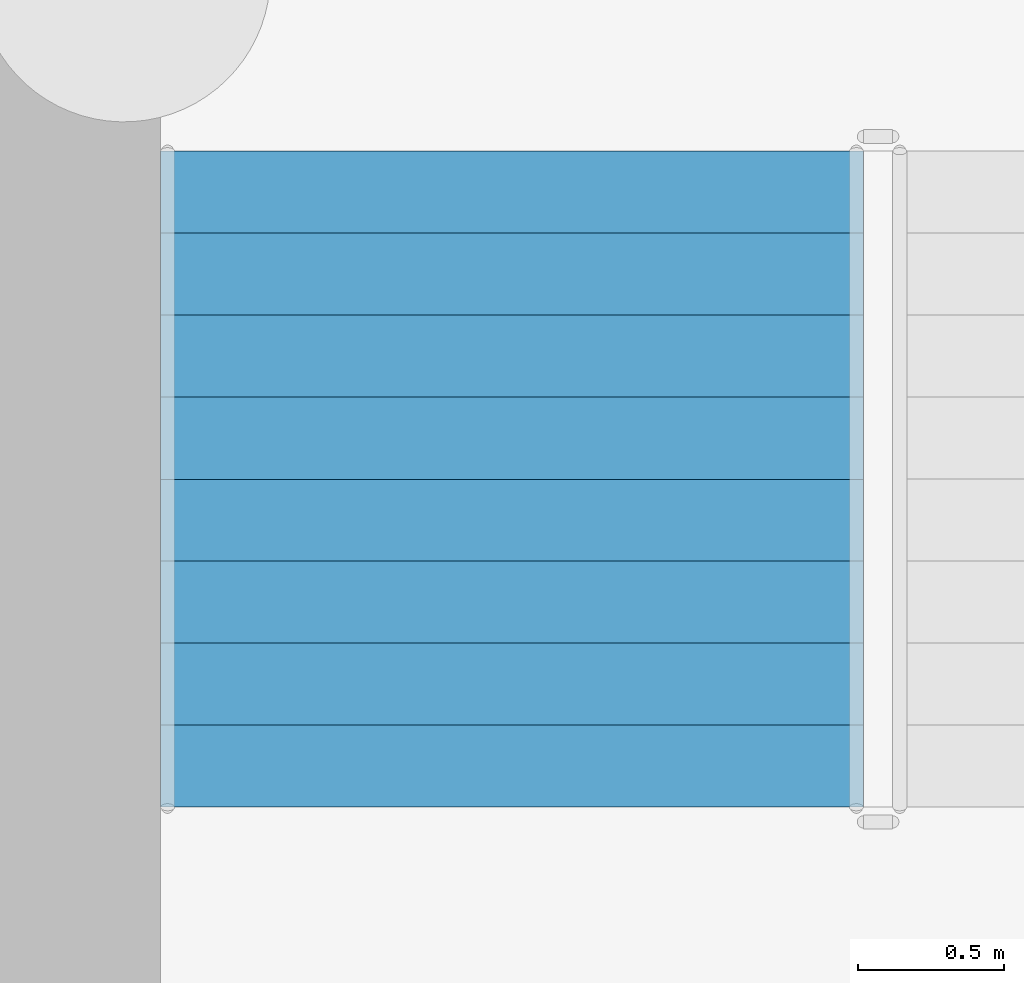
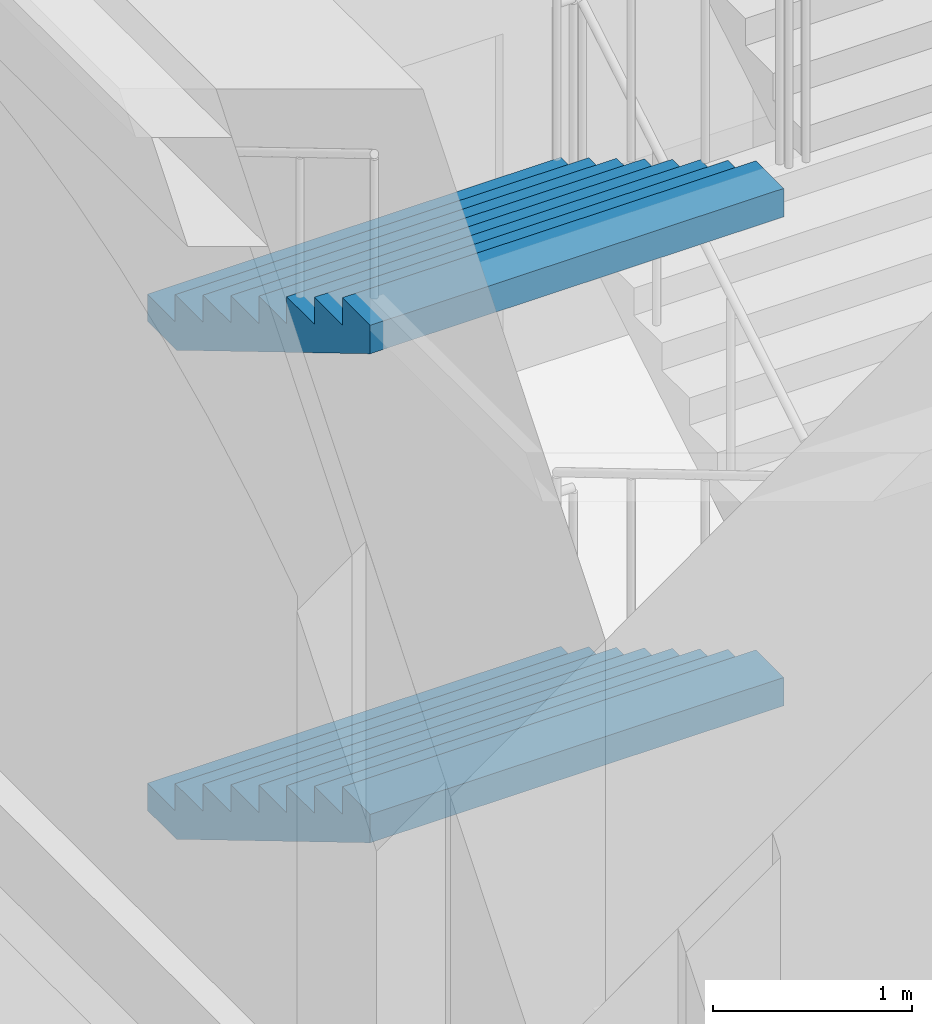
# One storey, part 13 of 39: 2 stair flights, 1 element without a shape of its own.
"""IFC4 building model written with IfcOpenShell, lengths in metres."""

from ifc_helpers import new_model, si_unit, direction, frame, origin, place, context, subcontext, project, spatial, triangles, material, type_object, element, aggregate, save


model = new_model("IFC4")

# Units and contexts
model_context = context("Model", 3, precision=1e-05, world=origin(), true_north=direction((0.0, 1.0)))
body_context = subcontext(model_context, "Body", "Model", "MODEL_VIEW")
ifc_project = project(units=[si_unit("LENGTHUNIT", "METRE"), si_unit("AREAUNIT", "SQUARE_METRE"), si_unit("VOLUMEUNIT", "CUBIC_METRE"), si_unit("PLANEANGLEUNIT", "RADIAN"), si_unit("MASSUNIT", "GRAM", prefix="KILO")], contexts=[model_context])

# Site, building, storey
site_placement = place(None, origin())
site = spatial("IfcSite", under=ifc_project, at=site_placement, CompositionType="ELEMENT")
building_placement = place(site_placement, origin())
building = spatial("IfcBuilding", under=site, at=building_placement, Name="Magnolia Steps Interchange", CompositionType="ELEMENT")
storey_placement = place(building_placement, frame((0.0, 0.0, -11.39990234375)))
storey = spatial("IfcBuildingStorey", under=building, at=storey_placement, Name="B2", CompositionType="ELEMENT", Elevation=-11.39990234375)

# Stair, stair flights
ifc_material_1 = material(Name="Concrete C40", Category="concrete")
stair_type = type_object("IfcStairType", Name="Exit stair 2400", PredefinedType="HALF_TURN_STAIR", material=ifc_material_1)
stair_placement = place(storey_placement, origin())
stair = element("IfcStair", 1, at=stair_placement, inside=storey, type_object=stair_type, Name="B2 Stair 15", PredefinedType="HALF_TURN_STAIR")
ifc_material_2 = material(Name="Concrete C40", Category="concrete")
stair_flight_type = type_object("IfcStairFlightType", Name="Exit stair flight", PredefinedType="STRAIGHT", material=ifc_material_2)
stair_flight_1_placement = place(storey_placement, frame((22.375, 58.125, 0.0), z_axis=(0.0, 0.0, 1.0), x_axis=(0.0, -1.0, 0.0)))
stair_flight_1 = element("IfcStairFlight", 2, at=stair_flight_1_placement, type_object=stair_flight_type, Name="Stair 15 flight 1", NumberOfRisers=9, NumberOfTreads=8, PredefinedType="STRAIGHT", RiserHeight=0.166666667, TreadLength=0.28, context=body_context, shape_type="Tessellation", body=[
    triangles([(0.0, -1.199951171875, 0.0), (0.29296875, -1.199951171875, 0.0), (2.239990234375, -1.199951171875, 1.158935546875), (2.239990234375, -1.199951171875, 1.333251953125), (1.9599609375, -1.199951171875, 1.333251953125), (1.9599609375, -1.199951171875, 1.166748046875), (1.679931640625, -1.199951171875, 1.166748046875), (1.679931640625, -1.199951171875, 1.0), (1.39990234375, -1.199951171875, 1.0), (1.39990234375, -1.199951171875, 0.833251953125), (1.1201171875, -1.199951171875, 0.833251953125), (1.1201171875, -1.199951171875, 0.666748046875), (0.840087890625, -1.199951171875, 0.666748046875), (0.840087890625, -1.199951171875, 0.5), (0.56005859375, -1.199951171875, 0.5), (0.56005859375, -1.199951171875, 0.333251953125), (0.280029296875, -1.199951171875, 0.333251953125), (0.280029296875, -1.199951171875, 0.166748046875), (0.0, -1.199951171875, 0.166748046875), (0.0, 1.199951171875, 0.0), (0.29296875, 1.199951171875, 0.0), (2.239990234375, 1.199951171875, 1.158935546875), (2.239990234375, 1.199951171875, 1.333251953125), (1.9599609375, 1.199951171875, 1.333251953125), (1.9599609375, 1.199951171875, 1.166748046875), (1.679931640625, 1.199951171875, 1.166748046875), (1.679931640625, 1.199951171875, 1.0), (1.39990234375, 1.199951171875, 1.0), (1.39990234375, 1.199951171875, 0.833251953125), (1.1201171875, 1.199951171875, 0.833251953125), (1.1201171875, 1.199951171875, 0.666748046875), (0.840087890625, 1.199951171875, 0.666748046875), (0.840087890625, 1.199951171875, 0.5), (0.56005859375, 1.199951171875, 0.5), (0.56005859375, 1.199951171875, 0.333251953125), (0.280029296875, 1.199951171875, 0.333251953125), (0.280029296875, 1.199951171875, 0.166748046875), (0.0, 1.199951171875, 0.166748046875), (0.0, 0.0, 0.0), (0.0, 0.0, 0.04168701171875), (0.0, 0.0, 0.0833740234375), (0.0, 0.0, 0.12506103515625), (0.0, 0.0, 0.166748046875), (0.0, -0.05, 0.0), (0.0, -0.05, 0.166748046875), (0.0, 0.05, 0.0), (0.0, 0.05, 0.166748046875), (0.046671549479166664, 0.0, 0.166748046875), (0.09334309895833333, 0.0, 0.166748046875), (0.1400146484375, 0.0, 0.166748046875), (0.18668619791666666, 0.0, 0.166748046875), (0.23335774739583334, 0.0, 0.166748046875), (0.280029296875, 0.0, 0.166748046875), (0.280029296875, -0.05, 0.166748046875), (0.280029296875, 0.05, 0.166748046875), (0.280029296875, 0.0, 0.2083740234375), (0.280029296875, 0.0, 0.25), (0.280029296875, 0.0, 0.2916259765625), (0.280029296875, 0.0, 0.333251953125), (0.280029296875, -0.05, 0.333251953125), (0.280029296875, 0.05, 0.333251953125), (0.3267008463541667, 0.0, 0.333251953125), (0.3733723958333333, 0.0, 0.333251953125), (0.4200439453125, 0.0, 0.333251953125), (0.46671549479166663, 0.0, 0.333251953125), (0.5133870442708334, 0.0, 0.333251953125), (0.56005859375, 0.0, 0.333251953125), (0.56005859375, -0.05, 0.333251953125), (0.56005859375, 0.05, 0.333251953125), (0.56005859375, 0.0, 0.37493896484375), (0.56005859375, 0.0, 0.4166259765625), (0.56005859375, 0.0, 0.45831298828125), (0.56005859375, 0.0, 0.5), (0.56005859375, -0.05, 0.5), (0.56005859375, 0.05, 0.5), (0.6067301432291666, 0.0, 0.5), (0.6534016927083334, 0.0, 0.5), (0.7000732421875, 0.0, 0.5), (0.7467447916666666, 0.0, 0.5), (0.7934163411458334, 0.0, 0.5), (0.840087890625, 0.0, 0.5), (0.840087890625, -0.05, 0.5), (0.840087890625, 0.05, 0.5), (0.840087890625, 0.0, 0.54168701171875), (0.840087890625, 0.0, 0.5833740234375), (0.840087890625, 0.0, 0.62506103515625), (0.840087890625, 0.0, 0.666748046875), (0.840087890625, -0.05, 0.666748046875), (0.840087890625, 0.05, 0.666748046875), (0.8867594401041666, 0.0, 0.666748046875), (0.9334309895833334, 0.0, 0.666748046875), (0.9801025390625, 0.0, 0.666748046875), (1.0267740885416667, 0.0, 0.666748046875), (1.0734456380208333, 0.0, 0.666748046875), (1.1201171875, 0.0, 0.666748046875), (1.1201171875, -0.05, 0.666748046875), (1.1201171875, 0.05, 0.666748046875), (1.1201171875, 0.0, 0.7083740234375), (1.1201171875, 0.0, 0.75), (1.1201171875, 0.0, 0.7916259765625), (1.1201171875, 0.0, 0.833251953125), (1.1201171875, -0.05, 0.833251953125), (1.1201171875, 0.05, 0.833251953125), (1.1900634765625, 0.0, 0.833251953125), (1.260009765625, 0.0, 0.833251953125), (1.3299560546875, 0.0, 0.833251953125), (1.39990234375, 0.0, 0.833251953125), (1.39990234375, -0.05, 0.833251953125), (1.39990234375, 0.05, 0.833251953125), (1.39990234375, 0.0, 0.87493896484375), (1.39990234375, 0.0, 0.9166259765625), (1.39990234375, 0.0, 0.95831298828125), (1.39990234375, 0.0, 1.0), (1.39990234375, -0.05, 1.0), (1.39990234375, 0.05, 1.0), (1.4465738932291667, 0.0, 1.0), (1.4932454427083333, 0.0, 1.0), (1.5399169921875, 0.0, 1.0), (1.5865885416666667, 0.0, 1.0), (1.6332600911458333, 0.0, 1.0), (1.679931640625, 0.0, 1.0), (1.679931640625, -0.05, 1.0), (1.679931640625, 0.05, 1.0), (1.679931640625, 0.0, 1.04168701171875), (1.679931640625, 0.0, 1.0833740234375), (1.679931640625, 0.0, 1.12506103515625), (1.679931640625, 0.0, 1.166748046875), (1.679931640625, -0.05, 1.166748046875), (1.679931640625, 0.05, 1.166748046875), (1.7266031901041667, 0.0, 1.166748046875), (1.7732747395833333, 0.0, 1.166748046875), (1.8199462890625, 0.0, 1.166748046875), (1.8666178385416667, 0.0, 1.166748046875), (1.9132893880208333, 0.0, 1.166748046875), (1.9599609375, 0.0, 1.166748046875), (1.9599609375, -0.05, 1.166748046875), (1.9599609375, 0.05, 1.166748046875), (1.9599609375, 0.0, 1.2083740234375), (1.9599609375, 0.0, 1.25), (1.9599609375, 0.0, 1.2916259765625), (1.9599609375, 0.0, 1.333251953125), (1.9599609375, -0.05, 1.333251953125), (1.9599609375, 0.05, 1.333251953125), (2.0066324869791665, 0.0, 1.333251953125), (2.0533040364583335, 0.0, 1.333251953125), (2.0999755859375, 0.0, 1.333251953125), (2.1466471354166665, 0.0, 1.333251953125), (2.1933186848958335, 0.0, 1.333251953125), (2.239990234375, 0.0, 1.333251953125), (2.239990234375, -0.05, 1.333251953125), (2.239990234375, 0.05, 1.333251953125), (2.239990234375, 0.0, 1.2896728515625), (2.239990234375, 0.0, 1.24609375), (2.239990234375, 0.0, 1.2025146484375), (2.239990234375, 0.0, 1.158935546875), (2.239990234375, -0.05, 1.158935546875), (2.239990234375, 0.05, 1.158935546875), (2.1827248965992645, 0.0, 1.1248492072610294), (2.1254595588235294, 0.0, 1.0907628676470589), (2.068194221047794, 0.0, 1.0566765280330883), (2.010928883272059, 0.0, 1.0225901884191178), (1.9536635454963236, 0.0, 0.9885038488051471), (1.8963982077205883, 0.0, 0.9544175091911764), (1.8391328699448528, 0.0, 0.9203311695772058), (1.7818675321691178, 0.0, 0.8862448299632353), (1.7246021943933822, 0.0, 0.8521584903492647), (1.6673368566176472, 0.0, 0.8180721507352942), (1.6100715188419117, 0.0, 0.7839858111213236), (1.5528061810661766, 0.0, 0.7498994715073529), (1.4955408432904411, 0.0, 0.7158131318933824), (1.4382755055147058, 0.0, 0.6817267922794117), (1.3810101677389706, 0.0, 0.6476404526654411), (1.3237448299632353, 0.0, 0.6135541130514706), (1.2664794921875, 0.0, 0.5794677734375), (1.2092141544117647, 0.0, 0.5453814338235294), (1.1519488166360294, 0.0, 0.5112950942095589), (1.0946834788602942, 0.0, 0.4772087545955882), (1.0374181410845589, 0.0, 0.44312241498161764), (0.9801528033088236, 0.0, 0.4090360753676471), (0.9228874655330883, 0.0, 0.3749497357536765), (0.865622127757353, 0.0, 0.34086339613970584), (0.8083567899816178, 0.0, 0.3067770565257353), (0.7510914522058822, 0.0, 0.2726907169117647), (0.693826114430147, 0.0, 0.23860437729779416), (0.6365607766544117, 0.0, 0.20451803768382348), (0.5792954388786764, 0.0, 0.17043169806985292), (0.5220301011029411, 0.0, 0.13634535845588225), (0.46476476332720584, 0.0, 0.10225901884191169), (0.40749942555147056, 0.0, 0.06817267922794112), (0.3502340877757353, 0.0, 0.03408633961397056), (0.29296875, 0.0, 0.0), (0.29296875, -0.05, 0.0), (0.29296875, 0.05, 0.0), (0.244140625, 0.0, 0.0), (0.1953125, 0.0, 0.0), (0.146484375, 0.0, 0.0), (0.09765625, 0.0, 0.0), (0.048828125, 0.0, 0.0)], [[1, 2, 3], [3, 4, 5], [3, 5, 6], [3, 6, 7], [3, 7, 8], [8, 9, 10], [3, 8, 10], [10, 11, 12], [3, 10, 12], [12, 13, 14], [3, 12, 14], [14, 15, 16], [3, 14, 16], [1, 3, 16], [16, 17, 18], [1, 16, 18], [18, 19, 1], [20, 22, 21], [22, 24, 23], [22, 25, 24], [22, 26, 25], [22, 27, 26], [27, 29, 28], [22, 29, 27], [29, 31, 30], [22, 31, 29], [31, 33, 32], [22, 33, 31], [33, 35, 34], [22, 35, 33], [20, 35, 22], [35, 37, 36], [20, 37, 35], [37, 20, 38], [1, 19, 45], [1, 45, 44], [44, 40, 39], [44, 41, 40], [44, 45, 41], [45, 42, 41], [45, 43, 42], [20, 47, 38], [20, 46, 47], [46, 39, 40], [46, 40, 41], [46, 41, 47], [47, 41, 42], [47, 42, 43], [19, 18, 54], [19, 54, 45], [45, 48, 43], [45, 49, 48], [45, 50, 49], [45, 54, 50], [54, 51, 50], [54, 52, 51], [54, 53, 52], [38, 55, 37], [38, 47, 55], [47, 43, 48], [47, 48, 49], [47, 49, 50], [47, 50, 55], [55, 50, 51], [55, 51, 52], [55, 52, 53], [18, 17, 60], [18, 60, 54], [54, 56, 53], [54, 57, 56], [54, 60, 57], [60, 58, 57], [60, 59, 58], [37, 61, 36], [37, 55, 61], [55, 53, 56], [55, 56, 57], [55, 57, 61], [61, 57, 58], [61, 58, 59], [17, 16, 68], [17, 68, 60], [60, 62, 59], [60, 63, 62], [60, 64, 63], [60, 68, 64], [68, 65, 64], [68, 66, 65], [68, 67, 66], [36, 69, 35], [36, 61, 69], [61, 59, 62], [61, 62, 63], [61, 63, 64], [61, 64, 69], [69, 64, 65], [69, 65, 66], [69, 66, 67], [16, 15, 74], [16, 74, 68], [68, 70, 67], [68, 71, 70], [68, 74, 71], [74, 72, 71], [74, 73, 72], [35, 75, 34], [35, 69, 75], [69, 67, 70], [69, 70, 71], [69, 71, 75], [75, 71, 72], [75, 72, 73], [15, 14, 82], [15, 82, 74], [74, 76, 73], [74, 77, 76], [74, 78, 77], [74, 82, 78], [82, 79, 78], [82, 80, 79], [82, 81, 80], [34, 83, 33], [34, 75, 83], [75, 73, 76], [75, 76, 77], [75, 77, 78], [75, 78, 83], [83, 78, 79], [83, 79, 80], [83, 80, 81], [14, 13, 88], [14, 88, 82], [82, 84, 81], [82, 85, 84], [82, 88, 85], [88, 86, 85], [88, 87, 86], [33, 89, 32], [33, 83, 89], [83, 81, 84], [83, 84, 85], [83, 85, 89], [89, 85, 86], [89, 86, 87], [13, 12, 96], [13, 96, 88], [88, 90, 87], [88, 91, 90], [88, 92, 91], [88, 96, 92], [96, 93, 92], [96, 94, 93], [96, 95, 94], [32, 97, 31], [32, 89, 97], [89, 87, 90], [89, 90, 91], [89, 91, 92], [89, 92, 97], [97, 92, 93], [97, 93, 94], [97, 94, 95], [12, 11, 102], [12, 102, 96], [96, 98, 95], [96, 99, 98], [96, 102, 99], [102, 100, 99], [102, 101, 100], [31, 103, 30], [31, 97, 103], [97, 95, 98], [97, 98, 99], [97, 99, 103], [103, 99, 100], [103, 100, 101], [11, 10, 108], [11, 108, 102], [102, 104, 101], [102, 105, 104], [102, 108, 105], [108, 106, 105], [108, 107, 106], [30, 109, 29], [30, 103, 109], [103, 101, 104], [103, 104, 105], [103, 105, 109], [109, 105, 106], [109, 106, 107], [10, 9, 114], [10, 114, 108], [108, 110, 107], [108, 111, 110], [108, 114, 111], [114, 112, 111], [114, 113, 112], [29, 115, 28], [29, 109, 115], [109, 107, 110], [109, 110, 111], [109, 111, 115], [115, 111, 112], [115, 112, 113], [9, 8, 122], [9, 122, 114], [114, 116, 113], [114, 117, 116], [114, 118, 117], [114, 122, 118], [122, 119, 118], [122, 120, 119], [122, 121, 120], [28, 123, 27], [28, 115, 123], [115, 113, 116], [115, 116, 117], [115, 117, 118], [115, 118, 123], [123, 118, 119], [123, 119, 120], [123, 120, 121], [8, 7, 128], [8, 128, 122], [122, 124, 121], [122, 125, 124], [122, 128, 125], [128, 126, 125], [128, 127, 126], [27, 129, 26], [27, 123, 129], [123, 121, 124], [123, 124, 125], [123, 125, 129], [129, 125, 126], [129, 126, 127], [7, 6, 136], [7, 136, 128], [128, 130, 127], [128, 131, 130], [128, 132, 131], [128, 136, 132], [136, 133, 132], [136, 134, 133], [136, 135, 134], [26, 137, 25], [26, 129, 137], [129, 127, 130], [129, 130, 131], [129, 131, 132], [129, 132, 137], [137, 132, 133], [137, 133, 134], [137, 134, 135], [6, 5, 142], [6, 142, 136], [136, 138, 135], [136, 139, 138], [136, 142, 139], [142, 140, 139], [142, 141, 140], [25, 143, 24], [25, 137, 143], [137, 135, 138], [137, 138, 139], [137, 139, 143], [143, 139, 140], [143, 140, 141], [5, 4, 150], [5, 150, 142], [142, 144, 141], [142, 145, 144], [142, 146, 145], [142, 150, 146], [150, 147, 146], [150, 148, 147], [150, 149, 148], [24, 151, 23], [24, 143, 151], [143, 141, 144], [143, 144, 145], [143, 145, 146], [143, 146, 151], [151, 146, 147], [151, 147, 148], [151, 148, 149], [4, 3, 156], [4, 156, 150], [150, 152, 149], [150, 153, 152], [150, 156, 153], [156, 154, 153], [156, 155, 154], [23, 157, 22], [23, 151, 157], [151, 149, 152], [151, 152, 153], [151, 153, 157], [157, 153, 154], [157, 154, 155], [3, 2, 192], [3, 192, 156], [156, 158, 155], [156, 159, 158], [156, 160, 159], [156, 161, 160], [156, 162, 161], [156, 163, 162], [156, 164, 163], [156, 165, 164], [156, 166, 165], [156, 167, 166], [156, 168, 167], [156, 169, 168], [156, 170, 169], [156, 171, 170], [156, 172, 171], [156, 173, 172], [156, 174, 173], [156, 192, 174], [192, 175, 174], [192, 176, 175], [192, 177, 176], [192, 178, 177], [192, 179, 178], [192, 180, 179], [192, 181, 180], [192, 182, 181], [192, 183, 182], [192, 184, 183], [192, 185, 184], [192, 186, 185], [192, 187, 186], [192, 188, 187], [192, 189, 188], [192, 190, 189], [192, 191, 190], [22, 193, 21], [22, 157, 193], [157, 155, 158], [157, 158, 159], [157, 159, 160], [157, 160, 161], [157, 161, 162], [157, 162, 163], [157, 163, 164], [157, 164, 165], [157, 165, 166], [157, 166, 167], [157, 167, 168], [157, 168, 169], [157, 169, 170], [157, 170, 171], [157, 171, 172], [157, 172, 173], [157, 173, 174], [157, 174, 193], [193, 174, 175], [193, 175, 176], [193, 176, 177], [193, 177, 178], [193, 178, 179], [193, 179, 180], [193, 180, 181], [193, 181, 182], [193, 182, 183], [193, 183, 184], [193, 184, 185], [193, 185, 186], [193, 186, 187], [193, 187, 188], [193, 188, 189], [193, 189, 190], [193, 190, 191], [2, 1, 44], [2, 44, 192], [192, 194, 191], [192, 195, 194], [192, 196, 195], [192, 44, 196], [44, 197, 196], [44, 198, 197], [44, 39, 198], [21, 46, 20], [21, 193, 46], [193, 191, 194], [193, 194, 195], [193, 195, 196], [193, 196, 46], [46, 196, 197], [46, 197, 198], [46, 198, 39]], closed=True),
])
stair_flight_2_placement = place(storey_placement, frame((22.375, 58.125, 3.0), z_axis=(0.0, 0.0, 1.0), x_axis=(0.0, -1.0, 0.0)))
stair_flight_2 = element("IfcStairFlight", 3, at=stair_flight_2_placement, type_object=stair_flight_type, Name="Stair 15 flight 3", NumberOfRisers=9, NumberOfTreads=8, PredefinedType="STRAIGHT", RiserHeight=0.166666667, TreadLength=0.28, context=body_context, shape_type="Tessellation", body=[
    triangles([(0.0, -1.199951171875, 0.0), (0.29296875, -1.199951171875, 0.0), (2.239990234375, -1.199951171875, 1.158935546875), (2.239990234375, -1.199951171875, 1.333251953125), (1.9599609375, -1.199951171875, 1.333251953125), (1.9599609375, -1.199951171875, 1.166748046875), (1.679931640625, -1.199951171875, 1.166748046875), (1.679931640625, -1.199951171875, 1.0), (1.39990234375, -1.199951171875, 1.0), (1.39990234375, -1.199951171875, 0.833251953125), (1.1201171875, -1.199951171875, 0.833251953125), (1.1201171875, -1.199951171875, 0.666748046875), (0.840087890625, -1.199951171875, 0.666748046875), (0.840087890625, -1.199951171875, 0.5), (0.56005859375, -1.199951171875, 0.5), (0.56005859375, -1.199951171875, 0.333251953125), (0.280029296875, -1.199951171875, 0.333251953125), (0.280029296875, -1.199951171875, 0.166748046875), (0.0, -1.199951171875, 0.166748046875), (0.0, 1.199951171875, 0.0), (0.29296875, 1.199951171875, 0.0), (2.239990234375, 1.199951171875, 1.158935546875), (2.239990234375, 1.199951171875, 1.333251953125), (1.9599609375, 1.199951171875, 1.333251953125), (1.9599609375, 1.199951171875, 1.166748046875), (1.679931640625, 1.199951171875, 1.166748046875), (1.679931640625, 1.199951171875, 1.0), (1.39990234375, 1.199951171875, 1.0), (1.39990234375, 1.199951171875, 0.833251953125), (1.1201171875, 1.199951171875, 0.833251953125), (1.1201171875, 1.199951171875, 0.666748046875), (0.840087890625, 1.199951171875, 0.666748046875), (0.840087890625, 1.199951171875, 0.5), (0.56005859375, 1.199951171875, 0.5), (0.56005859375, 1.199951171875, 0.333251953125), (0.280029296875, 1.199951171875, 0.333251953125), (0.280029296875, 1.199951171875, 0.166748046875), (0.0, 1.199951171875, 0.166748046875), (0.0, 0.0, 0.0), (0.0, 0.0, 0.04168701171875), (0.0, 0.0, 0.0833740234375), (0.0, 0.0, 0.12506103515625), (0.0, 0.0, 0.166748046875), (0.0, -0.05, 0.0), (0.0, -0.05, 0.166748046875), (0.0, 0.05, 0.0), (0.0, 0.05, 0.166748046875), (0.046671549479166664, 0.0, 0.166748046875), (0.09334309895833333, 0.0, 0.166748046875), (0.1400146484375, 0.0, 0.166748046875), (0.18668619791666666, 0.0, 0.166748046875), (0.23335774739583334, 0.0, 0.166748046875), (0.280029296875, 0.0, 0.166748046875), (0.280029296875, -0.05, 0.166748046875), (0.280029296875, 0.05, 0.166748046875), (0.280029296875, 0.0, 0.2083740234375), (0.280029296875, 0.0, 0.25), (0.280029296875, 0.0, 0.2916259765625), (0.280029296875, 0.0, 0.333251953125), (0.280029296875, -0.05, 0.333251953125), (0.280029296875, 0.05, 0.333251953125), (0.3267008463541667, 0.0, 0.333251953125), (0.3733723958333333, 0.0, 0.333251953125), (0.4200439453125, 0.0, 0.333251953125), (0.46671549479166663, 0.0, 0.333251953125), (0.5133870442708334, 0.0, 0.333251953125), (0.56005859375, 0.0, 0.333251953125), (0.56005859375, -0.05, 0.333251953125), (0.56005859375, 0.05, 0.333251953125), (0.56005859375, 0.0, 0.37493896484375), (0.56005859375, 0.0, 0.4166259765625), (0.56005859375, 0.0, 0.45831298828125), (0.56005859375, 0.0, 0.5), (0.56005859375, -0.05, 0.5), (0.56005859375, 0.05, 0.5), (0.6067301432291666, 0.0, 0.5), (0.6534016927083334, 0.0, 0.5), (0.7000732421875, 0.0, 0.5), (0.7467447916666666, 0.0, 0.5), (0.7934163411458334, 0.0, 0.5), (0.840087890625, 0.0, 0.5), (0.840087890625, -0.05, 0.5), (0.840087890625, 0.05, 0.5), (0.840087890625, 0.0, 0.54168701171875), (0.840087890625, 0.0, 0.5833740234375), (0.840087890625, 0.0, 0.62506103515625), (0.840087890625, 0.0, 0.666748046875), (0.840087890625, -0.05, 0.666748046875), (0.840087890625, 0.05, 0.666748046875), (0.8867594401041666, 0.0, 0.666748046875), (0.9334309895833334, 0.0, 0.666748046875), (0.9801025390625, 0.0, 0.666748046875), (1.0267740885416667, 0.0, 0.666748046875), (1.0734456380208333, 0.0, 0.666748046875), (1.1201171875, 0.0, 0.666748046875), (1.1201171875, -0.05, 0.666748046875), (1.1201171875, 0.05, 0.666748046875), (1.1201171875, 0.0, 0.7083740234375), (1.1201171875, 0.0, 0.75), (1.1201171875, 0.0, 0.7916259765625), (1.1201171875, 0.0, 0.833251953125), (1.1201171875, -0.05, 0.833251953125), (1.1201171875, 0.05, 0.833251953125), (1.1900634765625, 0.0, 0.833251953125), (1.260009765625, 0.0, 0.833251953125), (1.3299560546875, 0.0, 0.833251953125), (1.39990234375, 0.0, 0.833251953125), (1.39990234375, -0.05, 0.833251953125), (1.39990234375, 0.05, 0.833251953125), (1.39990234375, 0.0, 0.87493896484375), (1.39990234375, 0.0, 0.9166259765625), (1.39990234375, 0.0, 0.95831298828125), (1.39990234375, 0.0, 1.0), (1.39990234375, -0.05, 1.0), (1.39990234375, 0.05, 1.0), (1.4465738932291667, 0.0, 1.0), (1.4932454427083333, 0.0, 1.0), (1.5399169921875, 0.0, 1.0), (1.5865885416666667, 0.0, 1.0), (1.6332600911458333, 0.0, 1.0), (1.679931640625, 0.0, 1.0), (1.679931640625, -0.05, 1.0), (1.679931640625, 0.05, 1.0), (1.679931640625, 0.0, 1.04168701171875), (1.679931640625, 0.0, 1.0833740234375), (1.679931640625, 0.0, 1.12506103515625), (1.679931640625, 0.0, 1.166748046875), (1.679931640625, -0.05, 1.166748046875), (1.679931640625, 0.05, 1.166748046875), (1.7266031901041667, 0.0, 1.166748046875), (1.7732747395833333, 0.0, 1.166748046875), (1.8199462890625, 0.0, 1.166748046875), (1.8666178385416667, 0.0, 1.166748046875), (1.9132893880208333, 0.0, 1.166748046875), (1.9599609375, 0.0, 1.166748046875), (1.9599609375, -0.05, 1.166748046875), (1.9599609375, 0.05, 1.166748046875), (1.9599609375, 0.0, 1.2083740234375), (1.9599609375, 0.0, 1.25), (1.9599609375, 0.0, 1.2916259765625), (1.9599609375, 0.0, 1.333251953125), (1.9599609375, -0.05, 1.333251953125), (1.9599609375, 0.05, 1.333251953125), (2.0066324869791665, 0.0, 1.333251953125), (2.0533040364583335, 0.0, 1.333251953125), (2.0999755859375, 0.0, 1.333251953125), (2.1466471354166665, 0.0, 1.333251953125), (2.1933186848958335, 0.0, 1.333251953125), (2.239990234375, 0.0, 1.333251953125), (2.239990234375, -0.05, 1.333251953125), (2.239990234375, 0.05, 1.333251953125), (2.239990234375, 0.0, 1.2896728515625), (2.239990234375, 0.0, 1.24609375), (2.239990234375, 0.0, 1.2025146484375), (2.239990234375, 0.0, 1.158935546875), (2.239990234375, -0.05, 1.158935546875), (2.239990234375, 0.05, 1.158935546875), (2.1827248965992645, 0.0, 1.1248492072610294), (2.1254595588235294, 0.0, 1.0907628676470589), (2.068194221047794, 0.0, 1.0566765280330883), (2.010928883272059, 0.0, 1.0225901884191178), (1.9536635454963236, 0.0, 0.9885038488051471), (1.8963982077205883, 0.0, 0.9544175091911764), (1.8391328699448528, 0.0, 0.9203311695772058), (1.7818675321691178, 0.0, 0.8862448299632353), (1.7246021943933822, 0.0, 0.8521584903492647), (1.6673368566176472, 0.0, 0.8180721507352942), (1.6100715188419117, 0.0, 0.7839858111213236), (1.5528061810661766, 0.0, 0.7498994715073529), (1.4955408432904411, 0.0, 0.7158131318933824), (1.4382755055147058, 0.0, 0.6817267922794117), (1.3810101677389706, 0.0, 0.6476404526654411), (1.3237448299632353, 0.0, 0.6135541130514706), (1.2664794921875, 0.0, 0.5794677734375), (1.2092141544117647, 0.0, 0.5453814338235294), (1.1519488166360294, 0.0, 0.5112950942095589), (1.0946834788602942, 0.0, 0.4772087545955882), (1.0374181410845589, 0.0, 0.44312241498161764), (0.9801528033088236, 0.0, 0.4090360753676471), (0.9228874655330883, 0.0, 0.3749497357536765), (0.865622127757353, 0.0, 0.34086339613970584), (0.8083567899816178, 0.0, 0.3067770565257353), (0.7510914522058822, 0.0, 0.2726907169117647), (0.693826114430147, 0.0, 0.23860437729779416), (0.6365607766544117, 0.0, 0.20451803768382348), (0.5792954388786764, 0.0, 0.17043169806985292), (0.5220301011029411, 0.0, 0.13634535845588225), (0.46476476332720584, 0.0, 0.10225901884191169), (0.40749942555147056, 0.0, 0.06817267922794112), (0.3502340877757353, 0.0, 0.03408633961397056), (0.29296875, 0.0, 0.0), (0.29296875, -0.05, 0.0), (0.29296875, 0.05, 0.0), (0.244140625, 0.0, 0.0), (0.1953125, 0.0, 0.0), (0.146484375, 0.0, 0.0), (0.09765625, 0.0, 0.0), (0.048828125, 0.0, 0.0)], [[1, 2, 3], [3, 4, 5], [3, 5, 6], [3, 6, 7], [3, 7, 8], [8, 9, 10], [3, 8, 10], [10, 11, 12], [3, 10, 12], [12, 13, 14], [3, 12, 14], [14, 15, 16], [3, 14, 16], [1, 3, 16], [16, 17, 18], [1, 16, 18], [18, 19, 1], [20, 22, 21], [22, 24, 23], [22, 25, 24], [22, 26, 25], [22, 27, 26], [27, 29, 28], [22, 29, 27], [29, 31, 30], [22, 31, 29], [31, 33, 32], [22, 33, 31], [33, 35, 34], [22, 35, 33], [20, 35, 22], [35, 37, 36], [20, 37, 35], [37, 20, 38], [1, 19, 45], [1, 45, 44], [44, 40, 39], [44, 41, 40], [44, 45, 41], [45, 42, 41], [45, 43, 42], [20, 47, 38], [20, 46, 47], [46, 39, 40], [46, 40, 41], [46, 41, 47], [47, 41, 42], [47, 42, 43], [19, 18, 54], [19, 54, 45], [45, 48, 43], [45, 49, 48], [45, 50, 49], [45, 54, 50], [54, 51, 50], [54, 52, 51], [54, 53, 52], [38, 55, 37], [38, 47, 55], [47, 43, 48], [47, 48, 49], [47, 49, 50], [47, 50, 55], [55, 50, 51], [55, 51, 52], [55, 52, 53], [18, 17, 60], [18, 60, 54], [54, 56, 53], [54, 57, 56], [54, 60, 57], [60, 58, 57], [60, 59, 58], [37, 61, 36], [37, 55, 61], [55, 53, 56], [55, 56, 57], [55, 57, 61], [61, 57, 58], [61, 58, 59], [17, 16, 68], [17, 68, 60], [60, 62, 59], [60, 63, 62], [60, 64, 63], [60, 68, 64], [68, 65, 64], [68, 66, 65], [68, 67, 66], [36, 69, 35], [36, 61, 69], [61, 59, 62], [61, 62, 63], [61, 63, 64], [61, 64, 69], [69, 64, 65], [69, 65, 66], [69, 66, 67], [16, 15, 74], [16, 74, 68], [68, 70, 67], [68, 71, 70], [68, 74, 71], [74, 72, 71], [74, 73, 72], [35, 75, 34], [35, 69, 75], [69, 67, 70], [69, 70, 71], [69, 71, 75], [75, 71, 72], [75, 72, 73], [15, 14, 82], [15, 82, 74], [74, 76, 73], [74, 77, 76], [74, 78, 77], [74, 82, 78], [82, 79, 78], [82, 80, 79], [82, 81, 80], [34, 83, 33], [34, 75, 83], [75, 73, 76], [75, 76, 77], [75, 77, 78], [75, 78, 83], [83, 78, 79], [83, 79, 80], [83, 80, 81], [14, 13, 88], [14, 88, 82], [82, 84, 81], [82, 85, 84], [82, 88, 85], [88, 86, 85], [88, 87, 86], [33, 89, 32], [33, 83, 89], [83, 81, 84], [83, 84, 85], [83, 85, 89], [89, 85, 86], [89, 86, 87], [13, 12, 96], [13, 96, 88], [88, 90, 87], [88, 91, 90], [88, 92, 91], [88, 96, 92], [96, 93, 92], [96, 94, 93], [96, 95, 94], [32, 97, 31], [32, 89, 97], [89, 87, 90], [89, 90, 91], [89, 91, 92], [89, 92, 97], [97, 92, 93], [97, 93, 94], [97, 94, 95], [12, 11, 102], [12, 102, 96], [96, 98, 95], [96, 99, 98], [96, 102, 99], [102, 100, 99], [102, 101, 100], [31, 103, 30], [31, 97, 103], [97, 95, 98], [97, 98, 99], [97, 99, 103], [103, 99, 100], [103, 100, 101], [11, 10, 108], [11, 108, 102], [102, 104, 101], [102, 105, 104], [102, 108, 105], [108, 106, 105], [108, 107, 106], [30, 109, 29], [30, 103, 109], [103, 101, 104], [103, 104, 105], [103, 105, 109], [109, 105, 106], [109, 106, 107], [10, 9, 114], [10, 114, 108], [108, 110, 107], [108, 111, 110], [108, 114, 111], [114, 112, 111], [114, 113, 112], [29, 115, 28], [29, 109, 115], [109, 107, 110], [109, 110, 111], [109, 111, 115], [115, 111, 112], [115, 112, 113], [9, 8, 122], [9, 122, 114], [114, 116, 113], [114, 117, 116], [114, 118, 117], [114, 122, 118], [122, 119, 118], [122, 120, 119], [122, 121, 120], [28, 123, 27], [28, 115, 123], [115, 113, 116], [115, 116, 117], [115, 117, 118], [115, 118, 123], [123, 118, 119], [123, 119, 120], [123, 120, 121], [8, 7, 128], [8, 128, 122], [122, 124, 121], [122, 125, 124], [122, 128, 125], [128, 126, 125], [128, 127, 126], [27, 129, 26], [27, 123, 129], [123, 121, 124], [123, 124, 125], [123, 125, 129], [129, 125, 126], [129, 126, 127], [7, 6, 136], [7, 136, 128], [128, 130, 127], [128, 131, 130], [128, 132, 131], [128, 136, 132], [136, 133, 132], [136, 134, 133], [136, 135, 134], [26, 137, 25], [26, 129, 137], [129, 127, 130], [129, 130, 131], [129, 131, 132], [129, 132, 137], [137, 132, 133], [137, 133, 134], [137, 134, 135], [6, 5, 142], [6, 142, 136], [136, 138, 135], [136, 139, 138], [136, 142, 139], [142, 140, 139], [142, 141, 140], [25, 143, 24], [25, 137, 143], [137, 135, 138], [137, 138, 139], [137, 139, 143], [143, 139, 140], [143, 140, 141], [5, 4, 150], [5, 150, 142], [142, 144, 141], [142, 145, 144], [142, 146, 145], [142, 150, 146], [150, 147, 146], [150, 148, 147], [150, 149, 148], [24, 151, 23], [24, 143, 151], [143, 141, 144], [143, 144, 145], [143, 145, 146], [143, 146, 151], [151, 146, 147], [151, 147, 148], [151, 148, 149], [4, 3, 156], [4, 156, 150], [150, 152, 149], [150, 153, 152], [150, 156, 153], [156, 154, 153], [156, 155, 154], [23, 157, 22], [23, 151, 157], [151, 149, 152], [151, 152, 153], [151, 153, 157], [157, 153, 154], [157, 154, 155], [3, 2, 192], [3, 192, 156], [156, 158, 155], [156, 159, 158], [156, 160, 159], [156, 161, 160], [156, 162, 161], [156, 163, 162], [156, 164, 163], [156, 165, 164], [156, 166, 165], [156, 167, 166], [156, 168, 167], [156, 169, 168], [156, 170, 169], [156, 171, 170], [156, 172, 171], [156, 173, 172], [156, 174, 173], [156, 192, 174], [192, 175, 174], [192, 176, 175], [192, 177, 176], [192, 178, 177], [192, 179, 178], [192, 180, 179], [192, 181, 180], [192, 182, 181], [192, 183, 182], [192, 184, 183], [192, 185, 184], [192, 186, 185], [192, 187, 186], [192, 188, 187], [192, 189, 188], [192, 190, 189], [192, 191, 190], [22, 193, 21], [22, 157, 193], [157, 155, 158], [157, 158, 159], [157, 159, 160], [157, 160, 161], [157, 161, 162], [157, 162, 163], [157, 163, 164], [157, 164, 165], [157, 165, 166], [157, 166, 167], [157, 167, 168], [157, 168, 169], [157, 169, 170], [157, 170, 171], [157, 171, 172], [157, 172, 173], [157, 173, 174], [157, 174, 193], [193, 174, 175], [193, 175, 176], [193, 176, 177], [193, 177, 178], [193, 178, 179], [193, 179, 180], [193, 180, 181], [193, 181, 182], [193, 182, 183], [193, 183, 184], [193, 184, 185], [193, 185, 186], [193, 186, 187], [193, 187, 188], [193, 188, 189], [193, 189, 190], [193, 190, 191], [2, 1, 44], [2, 44, 192], [192, 194, 191], [192, 195, 194], [192, 196, 195], [192, 44, 196], [44, 197, 196], [44, 198, 197], [44, 39, 198], [21, 46, 20], [21, 193, 46], [193, 191, 194], [193, 194, 195], [193, 195, 196], [193, 196, 46], [46, 196, 197], [46, 197, 198], [46, 198, 39]], closed=True),
])
aggregate(stair, [stair_flight_1, stair_flight_2])

save(model, "model.ifc")
